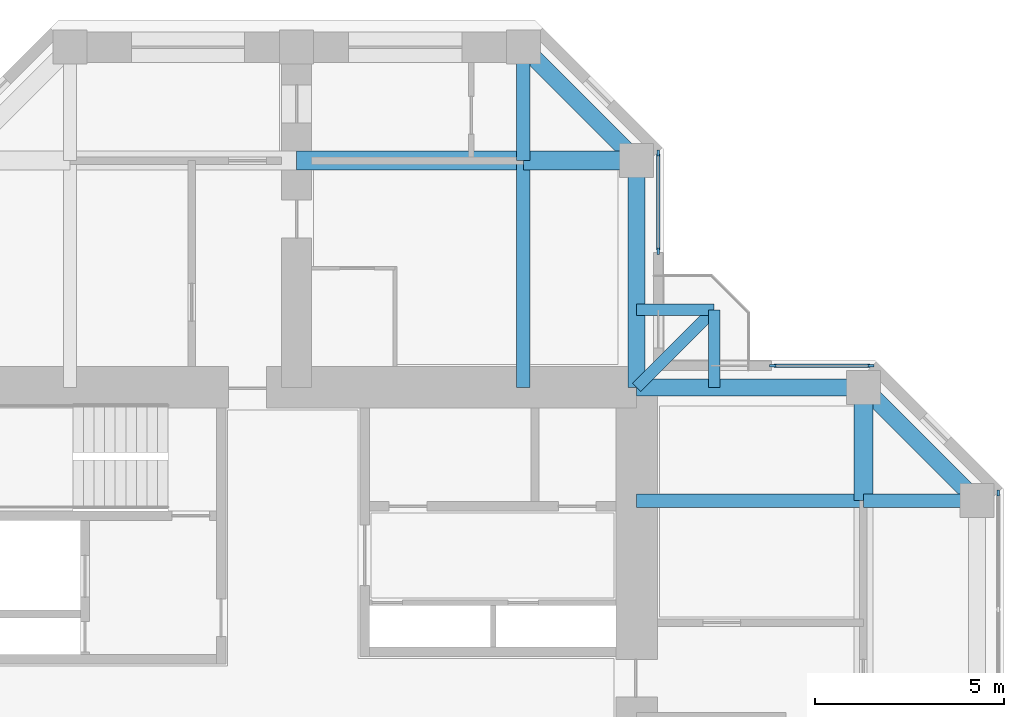
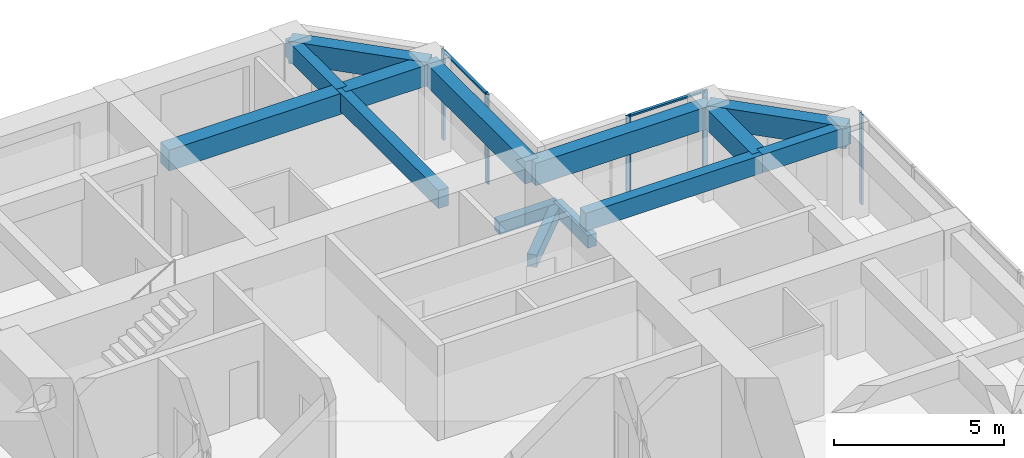
# One storey, part 6 of 13: 14 beams, 7 members, 3 elements without a shape of their own.
"""IFC4 building model written with IfcOpenShell, lengths in metres."""

from ifc_helpers import new_model, si_unit, direction, frame, origin, origin_2d, place, context, subcontext, project, spatial, rectangle, extrude, material, material_profile, profile_set, type_object, element, aggregate, save


model = new_model("IFC4")

# Units and contexts
model_context = context("Model", 3, precision=1e-05, world=origin(), true_north=direction((0.0, 1.0)))
body_context = subcontext(model_context, "Body", "Model", "MODEL_VIEW")
ifc_project = project(units=[si_unit("LENGTHUNIT", "METRE"), si_unit("AREAUNIT", "SQUARE_METRE"), si_unit("VOLUMEUNIT", "CUBIC_METRE"), si_unit("PLANEANGLEUNIT", "RADIAN"), si_unit("MASSUNIT", "GRAM", prefix="KILO")], contexts=[model_context])

# Site, building, storey
site_placement = place(None, origin())
site = spatial("IfcSite", under=ifc_project, at=site_placement, CompositionType="ELEMENT")
building_placement = place(site_placement, origin())
building = spatial("IfcBuilding", under=site, at=building_placement, Name="Torre Cruceta", CompositionType="ELEMENT")
storey_placement = place(building_placement, frame((0.0, 0.0, 193.300048828125)))
storey = spatial("IfcBuildingStorey", under=building, at=storey_placement, Name="L48", CompositionType="ELEMENT", Elevation=193.300048828125)

# Beams
ifc_material_1 = material(Name="Concrete G60 (fck 60 MPa)", Category="concrete")
ifc_material_profile_1 = material_profile(ifc_material_1, rectangle(XDim=0.300048828125, YDim=0.449951171875, at=origin_2d()), Name="RC 300X450")
ifc_profile_set_1 = profile_set([ifc_material_profile_1], Name="Concrete G60 (fck 60 MPa)")
beam_type_1 = type_object("IfcBeamType", Name="BALCONY CANTILEVER BEAM RC 300X450", PredefinedType="BEAM", material=ifc_profile_set_1)
beam_1_placement = place(storey_placement, frame((9.0, 9.0, -0.405029296875), z_axis=(0.707106781187, 0.707106781187, 0.0), x_axis=(-0.707106781187, 0.707106781187, 0.0)))
element("IfcBeam", 1, at=beam_1_placement, inside=storey, type_object=beam_type_1, Name="BB1 balcony beam L48 E", PredefinedType="BEAM", context=body_context, shape_type="SweptSolid", body=[
    extrude(rectangle(XDim=0.300048828125, YDim=0.449951171875, at=origin_2d()), origin(), (0.0, 0.0, 1.0), 2.89990234375),
])
for number, where, z_axis, x_axis, name in (
    (2, (11.050537109375, 9.0, -0.405029296875), (0.0, 1.0, 0.0), (-1.0, 0.0, 0.0), "BB1 balcony edge beam L48 E-X"),
    (3, (9.0, 11.050537109375, -0.405029296875), (1.0, 0.0, 0.0), (0.0, 1.0, 0.0), "BB1 balcony edge beam L48 E-Y"),
):
    element("IfcBeam", number, at=place(storey_placement, frame(where, z_axis=z_axis, x_axis=x_axis)), inside=storey, type_object=beam_type_1, Name=name, PredefinedType="BEAM", context=body_context, shape_type="SweptSolid", body=[
        extrude(rectangle(XDim=0.300048828125, YDim=0.449951171875, at=origin_2d()), origin(), (0.0, 0.0, 1.0), 2.050537109375),
    ])
ifc_material_2 = material(Name="Concrete G60 (fck 60 MPa)", Category="concrete")
ifc_material_profile_2 = material_profile(ifc_material_2, rectangle(XDim=0.35009765625, YDim=0.64990234375, at=origin_2d()), Name="RC 350X650")
ifc_profile_set_2 = profile_set([ifc_material_profile_2], Name="Concrete G60 (fck 60 MPa)")
beam_type_2 = type_object("IfcBeamType", Name="COLUMN LINE BEAM RC 350X650", PredefinedType="BEAM", material=ifc_profile_set_2)
beam_2_placement = place(storey_placement, frame((6.0, 9.0, 2.89501953125), z_axis=(0.0, 1.0, 0.0), x_axis=(-1.0, 0.0, 0.0)))
element("IfcBeam", 4, at=beam_2_placement, inside=storey, type_object=beam_type_2, Name="LB7 L48 N col- 1", PredefinedType="BEAM", context=body_context, shape_type="SweptSolid", body=[
    extrude(rectangle(XDim=0.35009765625, YDim=0.64990234375, at=origin_2d()), origin(), (0.0, 0.0, 1.0), 6.0),
])
beam_3_placement = place(storey_placement, frame((6.0, 15.0, 2.89501953125), z_axis=(0.0, 1.0, 0.0), x_axis=(-1.0, 0.0, 0.0)))
element("IfcBeam", 5, at=beam_3_placement, inside=storey, type_object=beam_type_2, Name="LB7 L48 N col- 2", PredefinedType="BEAM", context=body_context, shape_type="SweptSolid", body=[
    extrude(rectangle(XDim=0.35009765625, YDim=0.64990234375, at=origin_2d()), origin(), (0.0, 0.0, 1.0), 3.0),
])
beam_4_placement = place(storey_placement, frame((9.0, 6.0, 2.89501953125), z_axis=(1.0, 0.0, 0.0), x_axis=(0.0, 1.0, 0.0)))
element("IfcBeam", 6, at=beam_4_placement, inside=storey, type_object=beam_type_2, Name="LB7 L48 E col+ 1", PredefinedType="BEAM", context=body_context, shape_type="SweptSolid", body=[
    extrude(rectangle(XDim=0.35009765625, YDim=0.64990234375, at=origin_2d()), origin(), (0.0, 0.0, 1.0), 6.0),
])
beam_5_placement = place(storey_placement, frame((15.0, 6.0, 2.89501953125), z_axis=(1.0, 0.0, 0.0), x_axis=(0.0, 1.0, 0.0)))
element("IfcBeam", 7, at=beam_5_placement, inside=storey, type_object=beam_type_2, Name="LB7 L48 E col+ 2", PredefinedType="BEAM", context=body_context, shape_type="SweptSolid", body=[
    extrude(rectangle(XDim=0.35009765625, YDim=0.64990234375, at=origin_2d()), origin(), (0.0, 0.0, 1.0), 3.0),
])
ifc_material_3 = material(Name="Concrete G60 (fck 60 MPa)", Category="concrete")
ifc_material_profile_3 = material_profile(ifc_material_3, rectangle(XDim=0.5, YDim=0.75, at=origin_2d()), Name="RC 500X750")
ifc_profile_set_3 = profile_set([ifc_material_profile_3], Name="Concrete G60 (fck 60 MPa)")
beam_type_3 = type_object("IfcBeamType", Name="CROSS BEAM RC 500X750", PredefinedType="BEAM", material=ifc_profile_set_3)
beam_6_placement = place(storey_placement, frame((9.0, 15.0, 2.844970703125), z_axis=(-1.0, 0.0, 0.0), x_axis=(0.0, -1.0, 0.0)))
element("IfcBeam", 8, at=beam_6_placement, inside=storey, type_object=beam_type_3, Name="GB6 L48 N cross15 1", PredefinedType="BEAM", context=body_context, shape_type="SweptSolid", body=[
    extrude(rectangle(XDim=0.5, YDim=0.75, at=origin_2d()), origin(), (0.0, 0.0, 1.0), 3.0),
])
beam_7_placement = place(storey_placement, frame((6.0, 15.0, 2.844970703125), z_axis=(-1.0, 0.0, 0.0), x_axis=(0.0, -1.0, 0.0)))
element("IfcBeam", 9, at=beam_7_placement, inside=storey, type_object=beam_type_3, Name="GB6 L48 N cross15 2", PredefinedType="BEAM", context=body_context, shape_type="SweptSolid", body=[
    extrude(rectangle(XDim=0.5, YDim=0.75, at=origin_2d()), origin(), (0.0, 0.0, 1.0), 6.0),
])
beam_8_placement = place(storey_placement, frame((15.0, 6.0, 2.844970703125), z_axis=(0.0, 1.0, 0.0), x_axis=(-1.0, 0.0, 0.0)))
element("IfcBeam", 10, at=beam_8_placement, inside=storey, type_object=beam_type_3, Name="GB6 L48 E cross15 4", PredefinedType="BEAM", context=body_context, shape_type="SweptSolid", body=[
    extrude(rectangle(XDim=0.5, YDim=0.75, at=origin_2d()), origin(), (0.0, 0.0, 1.0), 3.0),
])

# Curtain wall, member
ifc_material_4 = material(Name="Aluminium unitised curtain wall", Category="aluminium")
curtain_wall_type = type_object("IfcCurtainWallType", Name="CURTAIN WALL CW-C CO-LIVING", PredefinedType="USERDEFINED", material=ifc_material_4)
curtain_wall_1_placement = place(storey_placement, origin())
curtain_wall_1 = element("IfcCurtainWall", 11, at=curtain_wall_1_placement, inside=storey, type_object=curtain_wall_type, Name="CW-C L48 E tip 02", ObjectType="UNITISED", PredefinedType="USERDEFINED")
ifc_material_5 = material(Name="Aluminium mullion", Category="aluminium")
ifc_material_profile_4 = material_profile(ifc_material_5, rectangle(XDim=0.06005859375, YDim=0.159912109375, at=origin_2d()), Name="AL 60X160")
ifc_profile_set_4 = profile_set([ifc_material_profile_4], Name="Aluminium mullion")
member_type_1 = type_object("IfcMemberType", Name="CW-C MULLION 60X160", PredefinedType="MULLION", material=ifc_profile_set_4)
member_1_placement = place(storey_placement, frame((18.570068359375, 6.2060546875, 0.0), z_axis=(0.0, 0.0, 1.0), x_axis=(-1.0, 0.0, 0.0)))
member_1 = element("IfcMember", 12, at=member_1_placement, type_object=member_type_1, Name="CW-C mullion 5", PredefinedType="MULLION", context=body_context, shape_type="SweptSolid", body=[
    extrude(rectangle(XDim=0.06005859375, YDim=0.159912109375, at=origin_2d()), origin(), (0.0, 0.0, 1.0), 3.219970703125),
])
aggregate(curtain_wall_1, [member_1])

# Curtain wall, members
curtain_wall_2_placement = place(storey_placement, origin())
curtain_wall_2 = element("IfcCurtainWall", 13, at=curtain_wall_2_placement, inside=storey, type_object=curtain_wall_type, Name="CW-C L48 E side 04", ObjectType="UNITISED", PredefinedType="USERDEFINED")
member_2_placement = place(storey_placement, frame((15.2060546875, 9.570068359375, 0.0), z_axis=(0.0, 0.0, 1.0), x_axis=(0.0, -1.0, 0.0)))
member_2 = element("IfcMember", 14, at=member_2_placement, type_object=member_type_1, Name="CW-C mullion 1", PredefinedType="MULLION", context=body_context, shape_type="SweptSolid", body=[
    extrude(rectangle(XDim=0.06005859375, YDim=0.159912109375, at=origin_2d()), origin(), (0.0, 0.0, 1.0), 3.219970703125),
])
member_3_placement = place(storey_placement, frame((12.60009765625, 9.570068359375, 0.0), z_axis=(0.0, 0.0, 1.0), x_axis=(0.0, -1.0, 0.0)))
member_3 = element("IfcMember", 15, at=member_3_placement, type_object=member_type_1, Name="CW-C mullion 2", PredefinedType="MULLION", context=body_context, shape_type="SweptSolid", body=[
    extrude(rectangle(XDim=0.06005859375, YDim=0.159912109375, at=origin_2d()), origin(), (0.0, 0.0, 1.0), 3.219970703125),
])

curtain_wall_3_placement = place(storey_placement, origin())
curtain_wall_3 = element("IfcCurtainWall", 16, at=curtain_wall_3_placement, inside=storey, type_object=curtain_wall_type, Name="CW-C L48 N side 05", ObjectType="UNITISED", PredefinedType="USERDEFINED")
member_4_placement = place(storey_placement, frame((9.570068359375, 12.60009765625, 0.0), z_axis=(0.0, 0.0, 1.0), x_axis=(-1.0, 0.0, 0.0)))
member_4 = element("IfcMember", 17, at=member_4_placement, type_object=member_type_1, Name="CW-C mullion 1", PredefinedType="MULLION", context=body_context, shape_type="SweptSolid", body=[
    extrude(rectangle(XDim=0.06005859375, YDim=0.159912109375, at=origin_2d()), origin(), (0.0, 0.0, 1.0), 3.219970703125),
])
member_5_placement = place(storey_placement, frame((9.570068359375, 15.2060546875, 0.0), z_axis=(0.0, 0.0, 1.0), x_axis=(-1.0, 0.0, 0.0)))
member_5 = element("IfcMember", 18, at=member_5_placement, type_object=member_type_1, Name="CW-C mullion 2", PredefinedType="MULLION", context=body_context, shape_type="SweptSolid", body=[
    extrude(rectangle(XDim=0.06005859375, YDim=0.159912109375, at=origin_2d()), origin(), (0.0, 0.0, 1.0), 3.219970703125),
])

# Member
ifc_material_6 = material(Name="Aluminium transom", Category="aluminium")
ifc_material_profile_5 = material_profile(ifc_material_6, rectangle(XDim=0.10009765625, YDim=0.06005859375, at=origin_2d()), Name="AL 100X60")
ifc_profile_set_5 = profile_set([ifc_material_profile_5], Name="Aluminium transom")
member_type_2 = type_object("IfcMemberType", Name="CW-C TRANSOM 60X100", PredefinedType="USERDEFINED", material=ifc_profile_set_5)
member_6_placement = place(storey_placement, frame((15.176025390625, 9.570068359375, 3.18994140625), z_axis=(-1.0, 0.0, 0.0), x_axis=(0.0, -1.0, 0.0)))
member_6 = element("IfcMember", 19, at=member_6_placement, type_object=member_type_2, Name="CW-C transom 1", ObjectType="TRANSOM", PredefinedType="USERDEFINED", context=body_context, shape_type="SweptSolid", body=[
    extrude(rectangle(XDim=0.10009765625, YDim=0.06005859375, at=origin_2d()), origin(), (0.0, 0.0, 1.0), 2.546142578125),
])

aggregate(curtain_wall_2, [member_2, member_3, member_6])

member_7_placement = place(storey_placement, frame((9.570068359375, 12.6298828125, 3.18994140625), z_axis=(0.0, 1.0, 0.0), x_axis=(-1.0, 0.0, 0.0)))
member_7 = element("IfcMember", 20, at=member_7_placement, type_object=member_type_2, Name="CW-C transom 1", ObjectType="TRANSOM", PredefinedType="USERDEFINED", context=body_context, shape_type="SweptSolid", body=[
    extrude(rectangle(XDim=0.10009765625, YDim=0.06005859375, at=origin_2d()), origin(), (0.0, 0.0, 1.0), 2.546142578125),
])

aggregate(curtain_wall_3, [member_4, member_5, member_7])

# Beams
ifc_material_7 = material(Name="Concrete G60 (fck 60 MPa)", Category="concrete")
ifc_material_profile_6 = material_profile(ifc_material_7, rectangle(XDim=0.449951171875, YDim=0.800048828125, at=origin_2d()), Name="RC 450X800")
ifc_profile_set_6 = profile_set([ifc_material_profile_6], Name="Concrete G60 (fck 60 MPa)")
beam_type_4 = type_object("IfcBeamType", Name="SPANDREL BEAM RC 450X800", PredefinedType="SPANDREL", material=ifc_profile_set_6)
beam_9_placement = place(storey_placement, frame((9.0, 9.0, 2.820068359375), z_axis=(0.0, 1.0, 0.0), x_axis=(-1.0, 0.0, 0.0)))
element("IfcBeam", 21, at=beam_9_placement, inside=storey, type_object=beam_type_4, Name="SB6 L48 N side- 1", PredefinedType="SPANDREL", context=body_context, shape_type="SweptSolid", body=[
    extrude(rectangle(XDim=0.449951171875, YDim=0.800048828125, at=origin_2d()), origin(), (0.0, 0.0, 1.0), 6.0),
])
beam_10_placement = place(storey_placement, frame((9.0, 15.0, 2.820068359375), z_axis=(-0.707106781187, 0.707106781187, 0.0), x_axis=(-0.707106781187, -0.707106781187, 0.0)))
element("IfcBeam", 22, at=beam_10_placement, inside=storey, type_object=beam_type_4, Name="SB6 L48 N side- 2", PredefinedType="SPANDREL", context=body_context, shape_type="SweptSolid", body=[
    extrude(rectangle(XDim=0.449951171875, YDim=0.800048828125, at=origin_2d()), origin(), (0.0, 0.0, 1.0), 4.24267578125),
])
beam_11_placement = place(storey_placement, frame((9.0, 9.0, 2.820068359375), z_axis=(1.0, 0.0, 0.0), x_axis=(0.0, 1.0, 0.0)))
element("IfcBeam", 23, at=beam_11_placement, inside=storey, type_object=beam_type_4, Name="SB6 L48 E side+ 1", PredefinedType="SPANDREL", context=body_context, shape_type="SweptSolid", body=[
    extrude(rectangle(XDim=0.449951171875, YDim=0.800048828125, at=origin_2d()), origin(), (0.0, 0.0, 1.0), 6.0),
])
beam_12_placement = place(storey_placement, frame((15.0, 9.0, 2.820068359375), z_axis=(0.707106781187, -0.707106781187, 0.0), x_axis=(0.707106781187, 0.707106781187, 0.0)))
element("IfcBeam", 24, at=beam_12_placement, inside=storey, type_object=beam_type_4, Name="SB6 L48 E side+ 2", PredefinedType="SPANDREL", context=body_context, shape_type="SweptSolid", body=[
    extrude(rectangle(XDim=0.449951171875, YDim=0.800048828125, at=origin_2d()), origin(), (0.0, 0.0, 1.0), 4.24267578125),
])

save(model, "model.ifc")
